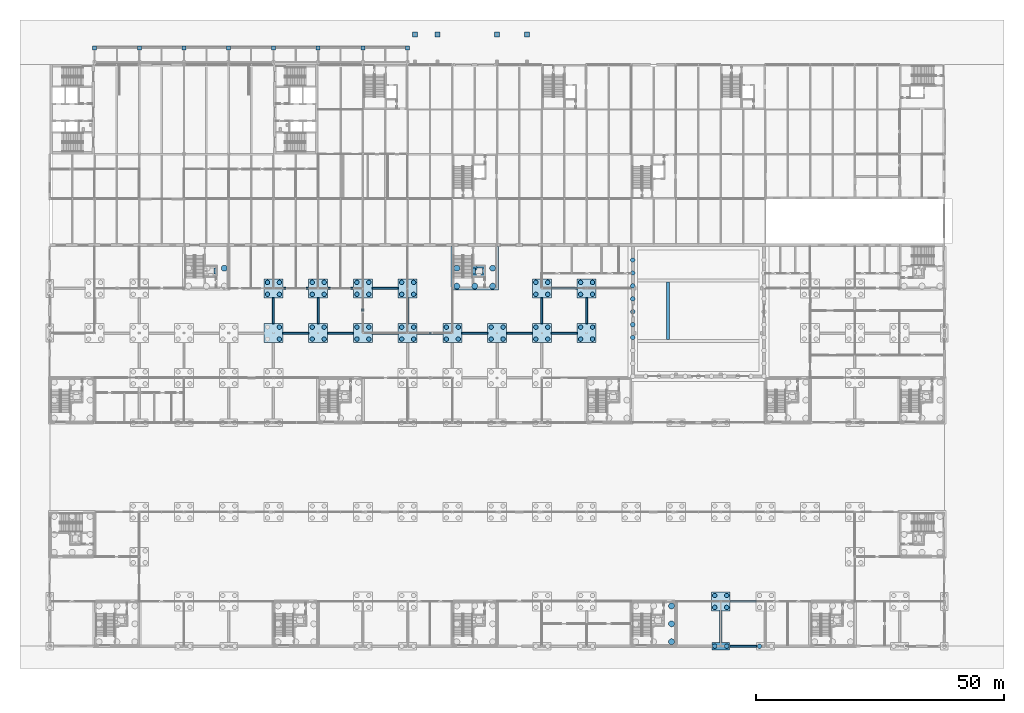
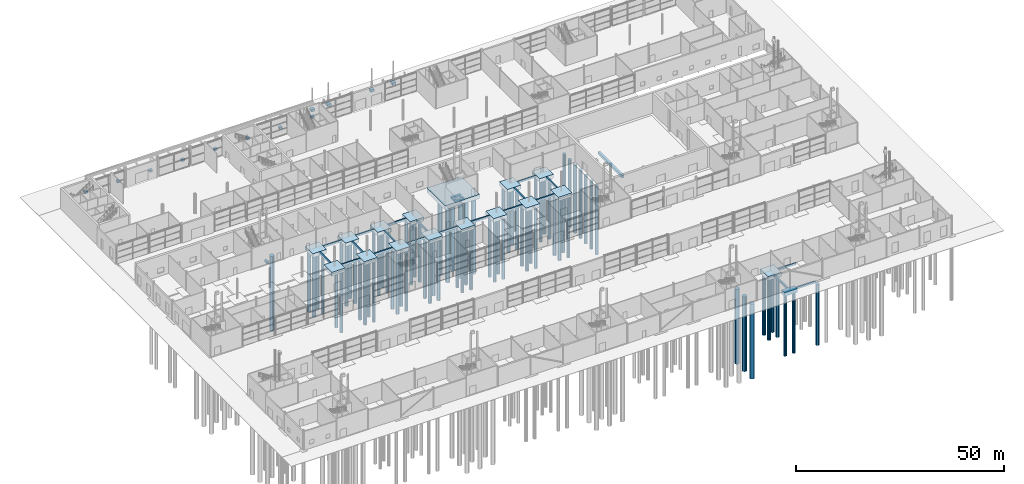
# One storey, part 4 of 97: 78 piles, 55 footings.
"""IFC4 building model written with IfcOpenShell, lengths in metres."""

from ifc_helpers import new_model, si_unit, direction, frame, origin, origin_2d, place, context, subcontext, project, spatial, polyline, rectangle, circle, outline, extrude, material, material_profile, profile_set, type_object, element, save


model = new_model("IFC4")

# Units and contexts
model_context = context("Model", 3, precision=1e-05, world=origin(), true_north=direction((0.0, 1.0)))
body_context = subcontext(model_context, "Body", "Model", "MODEL_VIEW")
ifc_project = project(units=[si_unit("LENGTHUNIT", "METRE"), si_unit("AREAUNIT", "SQUARE_METRE"), si_unit("VOLUMEUNIT", "CUBIC_METRE"), si_unit("PLANEANGLEUNIT", "RADIAN"), si_unit("MASSUNIT", "GRAM", prefix="KILO")], contexts=[model_context])

# Site, building, storey
site_placement = place(None, origin())
site = spatial("IfcSite", under=ifc_project, at=site_placement, CompositionType="ELEMENT")
building_placement = place(site_placement, origin())
building = spatial("IfcBuilding", under=site, at=building_placement, Name="Corbel Yard City Hall", CompositionType="ELEMENT")
storey_placement = place(building_placement, origin())
storey = spatial("IfcBuildingStorey", under=building, at=storey_placement, Name="L00", CompositionType="ELEMENT", Elevation=0.0)

# Footings
ifc_material = material(Name="Concrete N40 (40 MPa)", Category="concrete")
footing_type_1 = type_object("IfcFootingType", Name="Awning Pad Footing 0.8 x 0.8 x 0.6", PredefinedType="PAD_FOOTING", material=ifc_material)
footing_1_placement = place(storey_placement, frame((0.0, 0.0, -0.60009765625)))
element("IfcFooting", 1, at=footing_1_placement, inside=storey, type_object=footing_type_1, Name="Awning Pad Footing F01", PredefinedType="PAD_FOOTING", context=body_context, shape_type="SweptSolid", body=[
    extrude(outline(polyline([(8.60009765625, 120.0), (9.39990234375, 120.0), (9.39990234375, 120.800048828125), (8.60009765625, 120.800048828125), (8.60009765625, 120.0)])), origin(), (0.0, 0.0, 1.0), 0.60009765625),
])
footing_2_placement = place(storey_placement, frame((0.0, 0.0, -0.60009765625)))
element("IfcFooting", 2, at=footing_2_placement, inside=storey, type_object=footing_type_1, Name="Awning Pad Footing F02", PredefinedType="PAD_FOOTING", context=body_context, shape_type="SweptSolid", body=[
    extrude(outline(polyline([(17.60009765625, 120.0), (18.39990234375, 120.0), (18.39990234375, 120.800048828125), (17.60009765625, 120.800048828125), (17.60009765625, 120.0)])), origin(), (0.0, 0.0, 1.0), 0.60009765625),
])
footing_3_placement = place(storey_placement, frame((0.0, 0.0, -0.60009765625)))
element("IfcFooting", 3, at=footing_3_placement, inside=storey, type_object=footing_type_1, Name="Awning Pad Footing F03", PredefinedType="PAD_FOOTING", context=body_context, shape_type="SweptSolid", body=[
    extrude(outline(polyline([(26.60009765625, 120.0), (27.39990234375, 120.0), (27.39990234375, 120.800048828125), (26.60009765625, 120.800048828125), (26.60009765625, 120.0)])), origin(), (0.0, 0.0, 1.0), 0.60009765625),
])
footing_4_placement = place(storey_placement, frame((0.0, 0.0, -0.60009765625)))
element("IfcFooting", 4, at=footing_4_placement, inside=storey, type_object=footing_type_1, Name="Awning Pad Footing F04", PredefinedType="PAD_FOOTING", context=body_context, shape_type="SweptSolid", body=[
    extrude(outline(polyline([(35.60009765625, 120.0), (36.39990234375, 120.0), (36.39990234375, 120.800048828125), (35.60009765625, 120.800048828125), (35.60009765625, 120.0)])), origin(), (0.0, 0.0, 1.0), 0.60009765625),
])
footing_5_placement = place(storey_placement, frame((0.0, 0.0, -0.60009765625)))
element("IfcFooting", 5, at=footing_5_placement, inside=storey, type_object=footing_type_1, Name="Awning Pad Footing F05", PredefinedType="PAD_FOOTING", context=body_context, shape_type="SweptSolid", body=[
    extrude(outline(polyline([(44.60009765625, 120.0), (45.39990234375, 120.0), (45.39990234375, 120.800048828125), (44.60009765625, 120.800048828125), (44.60009765625, 120.0)])), origin(), (0.0, 0.0, 1.0), 0.60009765625),
])
footing_6_placement = place(storey_placement, frame((0.0, 0.0, -0.60009765625)))
element("IfcFooting", 6, at=footing_6_placement, inside=storey, type_object=footing_type_1, Name="Awning Pad Footing F06", PredefinedType="PAD_FOOTING", context=body_context, shape_type="SweptSolid", body=[
    extrude(outline(polyline([(53.60009765625, 120.0), (54.39990234375, 120.0), (54.39990234375, 120.800048828125), (53.60009765625, 120.800048828125), (53.60009765625, 120.0)])), origin(), (0.0, 0.0, 1.0), 0.60009765625),
])
footing_7_placement = place(storey_placement, frame((0.0, 0.0, -0.60009765625)))
element("IfcFooting", 7, at=footing_7_placement, inside=storey, type_object=footing_type_1, Name="Awning Pad Footing F07", PredefinedType="PAD_FOOTING", context=body_context, shape_type="SweptSolid", body=[
    extrude(outline(polyline([(62.60009765625, 120.0), (63.39990234375, 120.0), (63.39990234375, 120.800048828125), (62.60009765625, 120.800048828125), (62.60009765625, 120.0)])), origin(), (0.0, 0.0, 1.0), 0.60009765625),
])
footing_8_placement = place(storey_placement, frame((0.0, 0.0, -0.60009765625)))
element("IfcFooting", 8, at=footing_8_placement, inside=storey, type_object=footing_type_1, Name="Awning Pad Footing F08", PredefinedType="PAD_FOOTING", context=body_context, shape_type="SweptSolid", body=[
    extrude(outline(polyline([(71.60009765625, 120.0), (72.39990234375, 120.0), (72.39990234375, 120.800048828125), (71.60009765625, 120.800048828125), (71.60009765625, 120.0)])), origin(), (0.0, 0.0, 1.0), 0.60009765625),
])

# Piles
ifc_material_profile_1 = material_profile(ifc_material, circle(Radius=0.60009765625, at=origin_2d()), Name="D1200")
ifc_profile_set_1 = profile_set([ifc_material_profile_1], Name="Concrete N40 (40 MPa)")
pile_type_1 = type_object("IfcPileType", Name="Bored pile D1200", PredefinedType="BORED", material=ifc_profile_set_1)
for number, where, z_axis, x_axis, name in (
    (9, (125.10009765625, 0.89990234375, -1.10009765625), (0.0, 0.0, -1.0), (1.0, 0.0, 0.0), "Bored pile D1200 under core raft PC13"),
    (10, (125.10009765625, 4.5, -1.10009765625), (0.0, 0.0, -1.0), (1.0, 0.0, 0.0), "Bored pile D1200 under core raft PC13"),
    (11, (125.10009765625, 8.10009765625, -1.10009765625), (0.0, 0.0, -1.0), (1.0, 0.0, 0.0), "Bored pile D1200 under core raft PC13"),
    (12, (35.10009765625, 76.050048828125, -1.10009765625), (0.0, 0.0, -1.0), (1.0, 0.0, 0.0), "Bored pile D1200 under core raft PC13"),
    (13, (81.89990234375, 72.449951171875, -1.10009765625), (0.0, 0.0, -1.0), (1.0, 0.0, 0.0), "Bored pile D1200 under core raft PC13"),
    (14, (81.89990234375, 76.050048828125, -1.10009765625), (0.0, 0.0, -1.0), (1.0, 0.0, 0.0), "Bored pile D1200 under core raft PC13"),
    (15, (85.5, 72.449951171875, -1.10009765625), (0.0, 0.0, -1.0), (1.0, 0.0, 0.0), "Bored pile D1200 under core raft PC13"),
    (16, (85.35009765625, 76.050048828125, -1.10009765625), (0.0, 0.0, -1.0), (1.0, 0.0, 0.0), "Bored pile D1200 under core raft PC13"),
    (17, (89.10009765625, 72.449951171875, -1.10009765625), (0.0, 0.0, -1.0), (1.0, 0.0, 0.0), "Bored pile D1200 under core raft PC13"),
    (18, (89.10009765625, 76.050048828125, -1.10009765625), (0.0, 0.0, -1.0), (1.0, 0.0, 0.0), "Bored pile D1200 under core raft PC13"),
):
    element("IfcPile", number, at=place(storey_placement, frame(where, z_axis=z_axis, x_axis=x_axis)), inside=storey, type_object=pile_type_1, Name=name, PredefinedType="BORED", context=body_context, shape_type="SweptSolid", body=[
        extrude(circle(Radius=0.60009765625, at=origin_2d()), origin(), (0.0, 0.0, 1.0), 22.0),
    ])
ifc_material_profile_2 = material_profile(ifc_material, circle(Radius=0.449951171875, at=origin_2d()), Name="D900")
ifc_profile_set_2 = profile_set([ifc_material_profile_2], Name="Concrete N40 (40 MPa)")
pile_type_2 = type_object("IfcPileType", Name="Bored pile D900", PredefinedType="BORED", material=ifc_profile_set_2)
for number, where, z_axis, x_axis, name in (
    (19, (46.199951171875, 61.800048828125, -1.0), (0.0, 0.0, -1.0), (1.0, 0.0, 0.0), "Bored pile D900 under cap PC3 H/6"),
    (20, (46.199951171875, 64.199951171875, -1.0), (0.0, 0.0, -1.0), (1.0, 0.0, 0.0), "Bored pile D900 under cap PC3 H/6"),
    (21, (43.800048828125, 70.800048828125, -1.0), (0.0, 0.0, -1.0), (1.0, 0.0, 0.0), "Bored pile D900 under cap PC3 I/6"),
    (22, (43.800048828125, 73.199951171875, -1.0), (0.0, 0.0, -1.0), (1.0, 0.0, 0.0), "Bored pile D900 under cap PC3 I/6"),
    (23, (46.199951171875, 70.800048828125, -1.0), (0.0, 0.0, -1.0), (1.0, 0.0, 0.0), "Bored pile D900 under cap PC3 I/6"),
    (24, (46.199951171875, 73.199951171875, -1.0), (0.0, 0.0, -1.0), (1.0, 0.0, 0.0), "Bored pile D900 under cap PC3 I/6"),
    (25, (52.800048828125, 61.800048828125, -1.0), (0.0, 0.0, -1.0), (1.0, 0.0, 0.0), "Bored pile D900 under cap PC3 H/7"),
    (26, (52.800048828125, 64.199951171875, -1.0), (0.0, 0.0, -1.0), (1.0, 0.0, 0.0), "Bored pile D900 under cap PC3 H/7"),
    (27, (55.199951171875, 61.800048828125, -1.0), (0.0, 0.0, -1.0), (1.0, 0.0, 0.0), "Bored pile D900 under cap PC3 H/7"),
    (28, (55.199951171875, 64.199951171875, -1.0), (0.0, 0.0, -1.0), (1.0, 0.0, 0.0), "Bored pile D900 under cap PC3 H/7"),
    (29, (52.800048828125, 70.800048828125, -1.0), (0.0, 0.0, -1.0), (1.0, 0.0, 0.0), "Bored pile D900 under cap PC3 I/7"),
    (30, (52.800048828125, 73.199951171875, -1.0), (0.0, 0.0, -1.0), (1.0, 0.0, 0.0), "Bored pile D900 under cap PC3 I/7"),
    (31, (55.199951171875, 70.800048828125, -1.0), (0.0, 0.0, -1.0), (1.0, 0.0, 0.0), "Bored pile D900 under cap PC3 I/7"),
    (32, (55.199951171875, 73.199951171875, -1.0), (0.0, 0.0, -1.0), (1.0, 0.0, 0.0), "Bored pile D900 under cap PC3 I/7"),
    (33, (61.800048828125, 61.800048828125, -1.0), (0.0, 0.0, -1.0), (1.0, 0.0, 0.0), "Bored pile D900 under cap PC3 H/8"),
    (34, (61.800048828125, 64.199951171875, -1.0), (0.0, 0.0, -1.0), (1.0, 0.0, 0.0), "Bored pile D900 under cap PC3 H/8"),
    (35, (64.199951171875, 61.800048828125, -1.0), (0.0, 0.0, -1.0), (1.0, 0.0, 0.0), "Bored pile D900 under cap PC3 H/8"),
    (36, (64.199951171875, 64.199951171875, -1.0), (0.0, 0.0, -1.0), (1.0, 0.0, 0.0), "Bored pile D900 under cap PC3 H/8"),
    (37, (61.800048828125, 70.800048828125, -1.0), (0.0, 0.0, -1.0), (1.0, 0.0, 0.0), "Bored pile D900 under cap PC3 I/8"),
    (38, (61.800048828125, 73.199951171875, -1.0), (0.0, 0.0, -1.0), (1.0, 0.0, 0.0), "Bored pile D900 under cap PC3 I/8"),
    (39, (64.199951171875, 70.800048828125, -1.0), (0.0, 0.0, -1.0), (1.0, 0.0, 0.0), "Bored pile D900 under cap PC3 I/8"),
    (40, (64.199951171875, 73.199951171875, -1.0), (0.0, 0.0, -1.0), (1.0, 0.0, 0.0), "Bored pile D900 under cap PC3 I/8"),
    (41, (70.800048828125, 61.800048828125, -1.0), (0.0, 0.0, -1.0), (1.0, 0.0, 0.0), "Bored pile D900 under cap PC3 H/9"),
    (42, (70.800048828125, 64.199951171875, -1.0), (0.0, 0.0, -1.0), (1.0, 0.0, 0.0), "Bored pile D900 under cap PC3 H/9"),
    (43, (73.199951171875, 61.800048828125, -1.0), (0.0, 0.0, -1.0), (1.0, 0.0, 0.0), "Bored pile D900 under cap PC3 H/9"),
    (44, (73.199951171875, 64.199951171875, -1.0), (0.0, 0.0, -1.0), (1.0, 0.0, 0.0), "Bored pile D900 under cap PC3 H/9"),
    (45, (70.800048828125, 70.800048828125, -1.0), (0.0, 0.0, -1.0), (1.0, 0.0, 0.0), "Bored pile D900 under cap PC3 I/9"),
    (46, (70.800048828125, 73.199951171875, -1.0), (0.0, 0.0, -1.0), (1.0, 0.0, 0.0), "Bored pile D900 under cap PC3 I/9"),
    (47, (73.199951171875, 70.800048828125, -1.0), (0.0, 0.0, -1.0), (1.0, 0.0, 0.0), "Bored pile D900 under cap PC3 I/9"),
    (48, (73.199951171875, 73.199951171875, -1.0), (0.0, 0.0, -1.0), (1.0, 0.0, 0.0), "Bored pile D900 under cap PC3 I/9"),
    (49, (79.800048828125, 61.800048828125, -1.0), (0.0, 0.0, -1.0), (1.0, 0.0, 0.0), "Bored pile D900 under cap PC3 H/10"),
    (50, (79.800048828125, 64.199951171875, -1.0), (0.0, 0.0, -1.0), (1.0, 0.0, 0.0), "Bored pile D900 under cap PC3 H/10"),
    (51, (82.199951171875, 61.800048828125, -1.0), (0.0, 0.0, -1.0), (1.0, 0.0, 0.0), "Bored pile D900 under cap PC3 H/10"),
    (52, (82.199951171875, 64.199951171875, -1.0), (0.0, 0.0, -1.0), (1.0, 0.0, 0.0), "Bored pile D900 under cap PC3 H/10"),
    (53, (88.800048828125, 61.800048828125, -1.0), (0.0, 0.0, -1.0), (1.0, 0.0, 0.0), "Bored pile D900 under cap PC3 H/11"),
    (54, (88.800048828125, 64.199951171875, -1.0), (0.0, 0.0, -1.0), (1.0, 0.0, 0.0), "Bored pile D900 under cap PC3 H/11"),
    (55, (91.199951171875, 61.800048828125, -1.0), (0.0, 0.0, -1.0), (1.0, 0.0, 0.0), "Bored pile D900 under cap PC3 H/11"),
    (56, (91.199951171875, 64.199951171875, -1.0), (0.0, 0.0, -1.0), (1.0, 0.0, 0.0), "Bored pile D900 under cap PC3 H/11"),
    (57, (97.800048828125, 61.800048828125, -1.0), (0.0, 0.0, -1.0), (1.0, 0.0, 0.0), "Bored pile D900 under cap PC3 H/12"),
    (58, (97.800048828125, 64.199951171875, -1.0), (0.0, 0.0, -1.0), (1.0, 0.0, 0.0), "Bored pile D900 under cap PC3 H/12"),
    (59, (100.199951171875, 61.800048828125, -1.0), (0.0, 0.0, -1.0), (1.0, 0.0, 0.0), "Bored pile D900 under cap PC3 H/12"),
    (60, (100.199951171875, 64.199951171875, -1.0), (0.0, 0.0, -1.0), (1.0, 0.0, 0.0), "Bored pile D900 under cap PC3 H/12"),
    (61, (97.800048828125, 70.800048828125, -1.0), (0.0, 0.0, -1.0), (1.0, 0.0, 0.0), "Bored pile D900 under cap PC3 I/12"),
    (62, (97.800048828125, 73.199951171875, -1.0), (0.0, 0.0, -1.0), (1.0, 0.0, 0.0), "Bored pile D900 under cap PC3 I/12"),
    (63, (100.199951171875, 70.800048828125, -1.0), (0.0, 0.0, -1.0), (1.0, 0.0, 0.0), "Bored pile D900 under cap PC3 I/12"),
    (64, (100.199951171875, 73.199951171875, -1.0), (0.0, 0.0, -1.0), (1.0, 0.0, 0.0), "Bored pile D900 under cap PC3 I/12"),
    (65, (106.800048828125, 61.800048828125, -1.0), (0.0, 0.0, -1.0), (1.0, 0.0, 0.0), "Bored pile D900 under cap PC3 H/13"),
    (66, (106.800048828125, 64.199951171875, -1.0), (0.0, 0.0, -1.0), (1.0, 0.0, 0.0), "Bored pile D900 under cap PC3 H/13"),
    (67, (109.199951171875, 61.800048828125, -1.0), (0.0, 0.0, -1.0), (1.0, 0.0, 0.0), "Bored pile D900 under cap PC3 H/13"),
    (68, (109.199951171875, 64.199951171875, -1.0), (0.0, 0.0, -1.0), (1.0, 0.0, 0.0), "Bored pile D900 under cap PC3 H/13"),
    (69, (106.800048828125, 70.800048828125, -1.0), (0.0, 0.0, -1.0), (1.0, 0.0, 0.0), "Bored pile D900 under cap PC3 I/13"),
    (70, (106.800048828125, 73.199951171875, -1.0), (0.0, 0.0, -1.0), (1.0, 0.0, 0.0), "Bored pile D900 under cap PC3 I/13"),
    (71, (109.199951171875, 70.800048828125, -1.0), (0.0, 0.0, -1.0), (1.0, 0.0, 0.0), "Bored pile D900 under cap PC3 I/13"),
    (72, (109.199951171875, 73.199951171875, -1.0), (0.0, 0.0, -1.0), (1.0, 0.0, 0.0), "Bored pile D900 under cap PC3 I/13"),
    (73, (133.800048828125, 0.0, -1.0), (0.0, 0.0, -1.0), (1.0, 0.0, 0.0), "Bored pile D900 under cap PC6 A/16"),
    (74, (136.199951171875, 0.0, -1.0), (0.0, 0.0, -1.0), (1.0, 0.0, 0.0), "Bored pile D900 under cap PC6 A/16"),
    (75, (133.800048828125, 7.800048828125, -1.10009765625), (0.0, 0.0, -1.0), (1.0, 0.0, 0.0), "Bored pile D900 under cap PC5 B/16"),
    (76, (133.800048828125, 10.199951171875, -1.10009765625), (0.0, 0.0, -1.0), (1.0, 0.0, 0.0), "Bored pile D900 under cap PC5 B/16"),
    (77, (136.199951171875, 7.800048828125, -1.10009765625), (0.0, 0.0, -1.0), (1.0, 0.0, 0.0), "Bored pile D900 under cap PC5 B/16"),
    (78, (136.199951171875, 10.199951171875, -1.10009765625), (0.0, 0.0, -1.0), (1.0, 0.0, 0.0), "Bored pile D900 under cap PC5 B/16"),
    (79, (142.800048828125, 0.0, -1.0), (0.0, 0.0, -1.0), (1.0, 0.0, 0.0), "Bored pile D900 under cap PC6 A/17"),
):
    element("IfcPile", number, at=place(storey_placement, frame(where, z_axis=z_axis, x_axis=x_axis)), inside=storey, type_object=pile_type_2, Name=name, PredefinedType="BORED", context=body_context, shape_type="SweptSolid", body=[
        extrude(circle(Radius=0.449951171875, at=origin_2d()), origin(), (0.0, 0.0, 1.0), 18.0),
    ])
for number, where, z_axis, x_axis, name in (
    (80, (117.300048828125, 62.10009765625, -1.10009765625), (0.0, 0.0, -1.0), (1.0, 0.0, 0.0), "Bored pile D900 under chamber ring cap PC12"),
    (81, (117.300048828125, 64.699951171875, -1.10009765625), (0.0, 0.0, -1.0), (1.0, 0.0, 0.0), "Bored pile D900 under chamber ring cap PC12"),
    (82, (117.300048828125, 67.300048828125, -1.10009765625), (0.0, 0.0, -1.0), (1.0, 0.0, 0.0), "Bored pile D900 under chamber ring cap PC12"),
    (83, (117.300048828125, 69.89990234375, -1.10009765625), (0.0, 0.0, -1.0), (1.0, 0.0, 0.0), "Bored pile D900 under chamber ring cap PC12"),
    (84, (117.300048828125, 72.5, -1.10009765625), (0.0, 0.0, -1.0), (1.0, 0.0, 0.0), "Bored pile D900 under chamber ring cap PC12"),
    (85, (117.300048828125, 75.10009765625, -1.10009765625), (0.0, 0.0, -1.0), (1.0, 0.0, 0.0), "Bored pile D900 under chamber ring cap PC12"),
    (86, (117.300048828125, 77.699951171875, -1.10009765625), (0.0, 0.0, -1.0), (1.0, 0.0, 0.0), "Bored pile D900 under chamber ring cap PC12"),
):
    element("IfcPile", number, at=place(storey_placement, frame(where, z_axis=z_axis, x_axis=x_axis)), inside=storey, type_object=pile_type_2, Name=name, PredefinedType="BORED", context=body_context, shape_type="SweptSolid", body=[
        extrude(circle(Radius=0.449951171875, at=origin_2d()), origin(), (0.0, 0.0, 1.0), 20.0),
    ])

# Footings
footing_type_2 = type_object("IfcFootingType", Name="Chamber ground beam 600 x 800", PredefinedType="FOOTING_BEAM", material=ifc_material)
footing_9_placement = place(storey_placement, frame((0.0, 0.0, -1.0)))
element("IfcFooting", 87, at=footing_9_placement, inside=storey, type_object=footing_type_2, Name="Chamber ground beam W", PredefinedType="FOOTING_BEAM", context=body_context, shape_type="SweptSolid", body=[
    extrude(outline(polyline([(124.699951171875, 61.699951171875), (124.699951171875, 73.300048828125), (124.10009765625, 73.300048828125), (124.10009765625, 61.699951171875), (124.699951171875, 61.699951171875)])), origin(), (0.0, 0.0, 1.0), 0.800048828125),
])
footing_type_3 = type_object("IfcFootingType", Name="Core cell raft 9.6 x 9.6 x 1.2", PredefinedType="PILE_CAP", material=ifc_material)
footing_10_placement = place(storey_placement, frame((0.0, 0.0, -1.199951171875)))
element("IfcFooting", 88, at=footing_10_placement, inside=storey, type_object=footing_type_3, Name="Core cell raft PC13 PC-M7", PredefinedType="PILE_CAP", context=body_context, shape_type="SweptSolid", body=[
    extrude(outline(polyline([(80.699951171875, 71.699951171875), (90.300048828125, 71.699951171875), (90.300048828125, 80.39990234375), (80.699951171875, 80.39990234375), (80.699951171875, 71.699951171875)])), origin(), (0.0, 0.0, 1.0), 1.199951171875),
])
footing_type_4 = type_object("IfcFootingType", Name="Ground beam 400 x 600", PredefinedType="FOOTING_BEAM", material=ifc_material)
footing_11_placement = place(storey_placement, frame((49.5, 63.0, -0.60009765625), z_axis=(0.0, 0.0, 1.0), x_axis=(1.0, 0.0, 0.0)))
element("IfcFooting", 89, at=footing_11_placement, inside=storey, type_object=footing_type_4, Name="Ground beam 400 x 600 H/6-H/7", PredefinedType="FOOTING_BEAM", context=body_context, shape_type="SweptSolid", body=[
    extrude(rectangle(XDim=5.199951171875, YDim=0.39990234375, at=origin_2d()), origin(), (0.0, 0.0, 1.0), 0.60009765625),
])
footing_12_placement = place(storey_placement, frame((45.0, 67.5, -0.60009765625), z_axis=(0.0, 0.0, 1.0), x_axis=(1.0, 0.0, 0.0)))
element("IfcFooting", 90, at=footing_12_placement, inside=storey, type_object=footing_type_4, Name="Ground beam 400 x 600 H/6-I/6", PredefinedType="FOOTING_BEAM", context=body_context, shape_type="SweptSolid", body=[
    extrude(rectangle(XDim=0.39990234375, YDim=5.199951171875, at=origin_2d()), origin(), (0.0, 0.0, 1.0), 0.60009765625),
])
for number, where, z_axis, x_axis, name in (
    (91, (49.5, 72.0, -0.60009765625), (0.0, 0.0, 1.0), (1.0, 0.0, 0.0), "Ground beam 400 x 600 I/6-I/7"),
    (92, (58.5, 63.0, -0.60009765625), (0.0, 0.0, 1.0), (1.0, 0.0, 0.0), "Ground beam 400 x 600 H/7-H/8"),
):
    element("IfcFooting", number, at=place(storey_placement, frame(where, z_axis=z_axis, x_axis=x_axis)), inside=storey, type_object=footing_type_4, Name=name, PredefinedType="FOOTING_BEAM", context=body_context, shape_type="SweptSolid", body=[
        extrude(rectangle(XDim=5.199951171875, YDim=0.39990234375, at=origin_2d()), origin(), (0.0, 0.0, 1.0), 0.60009765625),
    ])
footing_13_placement = place(storey_placement, frame((54.0, 67.5, -0.60009765625), z_axis=(0.0, 0.0, 1.0), x_axis=(1.0, 0.0, 0.0)))
element("IfcFooting", 93, at=footing_13_placement, inside=storey, type_object=footing_type_4, Name="Ground beam 400 x 600 H/7-I/7", PredefinedType="FOOTING_BEAM", context=body_context, shape_type="SweptSolid", body=[
    extrude(rectangle(XDim=0.39990234375, YDim=5.199951171875, at=origin_2d()), origin(), (0.0, 0.0, 1.0), 0.60009765625),
])
for number, where, z_axis, x_axis, name in (
    (94, (58.5, 72.0, -0.60009765625), (0.0, 0.0, 1.0), (1.0, 0.0, 0.0), "Ground beam 400 x 600 I/7-I/8"),
    (95, (67.5, 63.0, -0.60009765625), (0.0, 0.0, 1.0), (1.0, 0.0, 0.0), "Ground beam 400 x 600 H/8-H/9"),
):
    element("IfcFooting", number, at=place(storey_placement, frame(where, z_axis=z_axis, x_axis=x_axis)), inside=storey, type_object=footing_type_4, Name=name, PredefinedType="FOOTING_BEAM", context=body_context, shape_type="SweptSolid", body=[
        extrude(rectangle(XDim=5.199951171875, YDim=0.39990234375, at=origin_2d()), origin(), (0.0, 0.0, 1.0), 0.60009765625),
    ])
footing_14_placement = place(storey_placement, frame((63.0, 67.5, -0.60009765625), z_axis=(0.0, 0.0, 1.0), x_axis=(1.0, 0.0, 0.0)))
element("IfcFooting", 96, at=footing_14_placement, inside=storey, type_object=footing_type_4, Name="Ground beam 400 x 600 H/8-I/8", PredefinedType="FOOTING_BEAM", context=body_context, shape_type="SweptSolid", body=[
    extrude(rectangle(XDim=0.39990234375, YDim=5.199951171875, at=origin_2d()), origin(), (0.0, 0.0, 1.0), 0.60009765625),
])
for number, where, z_axis, x_axis, name in (
    (97, (67.5, 72.0, -0.60009765625), (0.0, 0.0, 1.0), (1.0, 0.0, 0.0), "Ground beam 400 x 600 I/8-I/9"),
    (98, (76.5, 63.0, -0.60009765625), (0.0, 0.0, 1.0), (1.0, 0.0, 0.0), "Ground beam 400 x 600 H/9-H/10"),
):
    element("IfcFooting", number, at=place(storey_placement, frame(where, z_axis=z_axis, x_axis=x_axis)), inside=storey, type_object=footing_type_4, Name=name, PredefinedType="FOOTING_BEAM", context=body_context, shape_type="SweptSolid", body=[
        extrude(rectangle(XDim=5.199951171875, YDim=0.39990234375, at=origin_2d()), origin(), (0.0, 0.0, 1.0), 0.60009765625),
    ])
footing_15_placement = place(storey_placement, frame((72.0, 67.5, -0.60009765625), z_axis=(0.0, 0.0, 1.0), x_axis=(1.0, 0.0, 0.0)))
element("IfcFooting", 99, at=footing_15_placement, inside=storey, type_object=footing_type_4, Name="Ground beam 400 x 600 H/9-I/9", PredefinedType="FOOTING_BEAM", context=body_context, shape_type="SweptSolid", body=[
    extrude(rectangle(XDim=0.39990234375, YDim=5.199951171875, at=origin_2d()), origin(), (0.0, 0.0, 1.0), 0.60009765625),
])
for number, where, z_axis, x_axis, name in (
    (100, (85.5, 63.0, -0.60009765625), (0.0, 0.0, 1.0), (1.0, 0.0, 0.0), "Ground beam 400 x 600 H/10-H/11"),
    (101, (94.5, 63.0, -0.60009765625), (0.0, 0.0, 1.0), (1.0, 0.0, 0.0), "Ground beam 400 x 600 H/11-H/12"),
    (102, (103.5, 63.0, -0.60009765625), (0.0, 0.0, 1.0), (1.0, 0.0, 0.0), "Ground beam 400 x 600 H/12-H/13"),
):
    element("IfcFooting", number, at=place(storey_placement, frame(where, z_axis=z_axis, x_axis=x_axis)), inside=storey, type_object=footing_type_4, Name=name, PredefinedType="FOOTING_BEAM", context=body_context, shape_type="SweptSolid", body=[
        extrude(rectangle(XDim=5.199951171875, YDim=0.39990234375, at=origin_2d()), origin(), (0.0, 0.0, 1.0), 0.60009765625),
    ])
footing_16_placement = place(storey_placement, frame((99.0, 67.5, -0.60009765625), z_axis=(0.0, 0.0, 1.0), x_axis=(1.0, 0.0, 0.0)))
element("IfcFooting", 103, at=footing_16_placement, inside=storey, type_object=footing_type_4, Name="Ground beam 400 x 600 H/12-I/12", PredefinedType="FOOTING_BEAM", context=body_context, shape_type="SweptSolid", body=[
    extrude(rectangle(XDim=0.39990234375, YDim=5.199951171875, at=origin_2d()), origin(), (0.0, 0.0, 1.0), 0.60009765625),
])
footing_17_placement = place(storey_placement, frame((103.5, 72.0, -0.60009765625), z_axis=(0.0, 0.0, 1.0), x_axis=(1.0, 0.0, 0.0)))
element("IfcFooting", 104, at=footing_17_placement, inside=storey, type_object=footing_type_4, Name="Ground beam 400 x 600 I/12-I/13", PredefinedType="FOOTING_BEAM", context=body_context, shape_type="SweptSolid", body=[
    extrude(rectangle(XDim=5.199951171875, YDim=0.39990234375, at=origin_2d()), origin(), (0.0, 0.0, 1.0), 0.60009765625),
])
footing_18_placement = place(storey_placement, frame((108.0, 67.5, -0.60009765625), z_axis=(0.0, 0.0, 1.0), x_axis=(1.0, 0.0, 0.0)))
element("IfcFooting", 105, at=footing_18_placement, inside=storey, type_object=footing_type_4, Name="Ground beam 400 x 600 H/13-I/13", PredefinedType="FOOTING_BEAM", context=body_context, shape_type="SweptSolid", body=[
    extrude(rectangle(XDim=0.39990234375, YDim=5.199951171875, at=origin_2d()), origin(), (0.0, 0.0, 1.0), 0.60009765625),
])
footing_19_placement = place(storey_placement, frame((139.5, 0.0, -0.60009765625), z_axis=(0.0, 0.0, 1.0), x_axis=(1.0, 0.0, 0.0)))
element("IfcFooting", 106, at=footing_19_placement, inside=storey, type_object=footing_type_4, Name="Ground beam 400 x 600 A/16-A/17", PredefinedType="FOOTING_BEAM", context=body_context, shape_type="SweptSolid", body=[
    extrude(rectangle(XDim=5.39990234375, YDim=0.39990234375, at=origin_2d()), origin(), (0.0, 0.0, 1.0), 0.60009765625),
])
footing_20_placement = place(storey_placement, frame((135.0, 3.925048828125, -0.60009765625), z_axis=(0.0, 0.0, 1.0), x_axis=(1.0, 0.0, 0.0)))
element("IfcFooting", 107, at=footing_20_placement, inside=storey, type_object=footing_type_4, Name="Ground beam 400 x 600 A/16-B/16", PredefinedType="FOOTING_BEAM", context=body_context, shape_type="SweptSolid", body=[
    extrude(rectangle(XDim=0.39990234375, YDim=6.35009765625, at=origin_2d()), origin(), (0.0, 0.0, 1.0), 0.60009765625),
])
footing_21_placement = place(storey_placement, frame((139.5, 9.0, -0.60009765625), z_axis=(0.0, 0.0, 1.0), x_axis=(1.0, 0.0, 0.0)))
element("IfcFooting", 108, at=footing_21_placement, inside=storey, type_object=footing_type_4, Name="Ground beam 400 x 600 B/16-B/17", PredefinedType="FOOTING_BEAM", context=body_context, shape_type="SweptSolid", body=[
    extrude(rectangle(XDim=5.199951171875, YDim=0.39990234375, at=origin_2d()), origin(), (0.0, 0.0, 1.0), 0.60009765625),
])
footing_type_5 = type_object("IfcFootingType", Name="Lift pit strip footing 600 x 600", PredefinedType="FOOTING_BEAM", material=ifc_material)
footing_22_placement = place(storey_placement, frame((0.0, 0.0, -2.300048828125)))
element("IfcFooting", 109, at=footing_22_placement, inside=storey, type_object=footing_type_5, Name="Lift pit strip footing LP13 E", PredefinedType="FOOTING_BEAM", context=body_context, shape_type="SweptSolid", body=[
    extrude(outline(polyline([(33.64990234375, 74.85009765625), (33.64990234375, 76.050048828125), (33.050048828125, 76.050048828125), (33.050048828125, 74.85009765625), (33.64990234375, 74.85009765625)])), origin(), (0.0, 0.0, 1.0), 0.60009765625),
])
footing_23_placement = place(storey_placement, frame((0.0, 0.0, -2.300048828125)))
element("IfcFooting", 110, at=footing_23_placement, inside=storey, type_object=footing_type_5, Name="Lift pit strip footing LP14 S", PredefinedType="FOOTING_BEAM", context=body_context, shape_type="SweptSolid", body=[
    extrude(outline(polyline([(87.64990234375, 74.25), (87.64990234375, 74.85009765625), (85.050048828125, 74.85009765625), (85.050048828125, 74.25), (87.64990234375, 74.25)])), origin(), (0.0, 0.0, 1.0), 0.60009765625),
])
footing_24_placement = place(storey_placement, frame((0.0, 0.0, -2.300048828125)))
element("IfcFooting", 111, at=footing_24_placement, inside=storey, type_object=footing_type_5, Name="Lift pit strip footing LP14 N", PredefinedType="FOOTING_BEAM", context=body_context, shape_type="SweptSolid", body=[
    extrude(outline(polyline([(87.64990234375, 76.050048828125), (87.64990234375, 76.64990234375), (85.050048828125, 76.64990234375), (85.050048828125, 76.050048828125), (87.64990234375, 76.050048828125)])), origin(), (0.0, 0.0, 1.0), 0.60009765625),
])
footing_25_placement = place(storey_placement, frame((0.0, 0.0, -2.300048828125)))
element("IfcFooting", 112, at=footing_25_placement, inside=storey, type_object=footing_type_5, Name="Lift pit strip footing LP14 W", PredefinedType="FOOTING_BEAM", context=body_context, shape_type="SweptSolid", body=[
    extrude(outline(polyline([(85.64990234375, 74.85009765625), (85.64990234375, 76.050048828125), (85.050048828125, 76.050048828125), (85.050048828125, 74.85009765625), (85.64990234375, 74.85009765625)])), origin(), (0.0, 0.0, 1.0), 0.60009765625),
])
footing_26_placement = place(storey_placement, frame((0.0, 0.0, -2.300048828125)))
element("IfcFooting", 113, at=footing_26_placement, inside=storey, type_object=footing_type_5, Name="Lift pit strip footing LP14 E", PredefinedType="FOOTING_BEAM", context=body_context, shape_type="SweptSolid", body=[
    extrude(outline(polyline([(87.64990234375, 74.85009765625), (87.64990234375, 76.050048828125), (87.050048828125, 76.050048828125), (87.050048828125, 74.85009765625), (87.64990234375, 74.85009765625)])), origin(), (0.0, 0.0, 1.0), 0.60009765625),
])
footing_type_6 = type_object("IfcFootingType", Name="Pile cap (column) 3.8 x 3.8 x 1.1", PredefinedType="PILE_CAP", material=ifc_material)
for number, where, z_axis, x_axis, name in (
    (114, (45.0, 63.0, -1.10009765625), (0.0, 0.0, 1.0), (1.0, 0.0, 0.0), "Pile cap PC3 H/6"),
    (115, (45.0, 72.0, -1.10009765625), (0.0, 0.0, 1.0), (1.0, 0.0, 0.0), "Pile cap PC3 I/6"),
    (116, (54.0, 63.0, -1.10009765625), (0.0, 0.0, 1.0), (1.0, 0.0, 0.0), "Pile cap PC3 H/7"),
    (117, (54.0, 72.0, -1.10009765625), (0.0, 0.0, 1.0), (1.0, 0.0, 0.0), "Pile cap PC3 I/7"),
    (118, (63.0, 63.0, -1.10009765625), (0.0, 0.0, 1.0), (1.0, 0.0, 0.0), "Pile cap PC3 H/8"),
    (119, (63.0, 72.0, -1.10009765625), (0.0, 0.0, 1.0), (1.0, 0.0, 0.0), "Pile cap PC3 I/8"),
    (120, (72.0, 63.0, -1.10009765625), (0.0, 0.0, 1.0), (1.0, 0.0, 0.0), "Pile cap PC3 H/9"),
    (121, (72.0, 72.0, -1.10009765625), (0.0, 0.0, 1.0), (1.0, 0.0, 0.0), "Pile cap PC3 I/9"),
    (122, (81.0, 63.0, -1.10009765625), (0.0, 0.0, 1.0), (1.0, 0.0, 0.0), "Pile cap PC3 H/10"),
    (123, (90.0, 63.0, -1.10009765625), (0.0, 0.0, 1.0), (1.0, 0.0, 0.0), "Pile cap PC3 H/11"),
    (124, (99.0, 63.0, -1.10009765625), (0.0, 0.0, 1.0), (1.0, 0.0, 0.0), "Pile cap PC3 H/12"),
    (125, (99.0, 72.0, -1.10009765625), (0.0, 0.0, 1.0), (1.0, 0.0, 0.0), "Pile cap PC3 I/12"),
    (126, (108.0, 63.0, -1.10009765625), (0.0, 0.0, 1.0), (1.0, 0.0, 0.0), "Pile cap PC3 H/13"),
    (127, (108.0, 72.0, -1.10009765625), (0.0, 0.0, 1.0), (1.0, 0.0, 0.0), "Pile cap PC3 I/13"),
):
    element("IfcFooting", number, at=place(storey_placement, frame(where, z_axis=z_axis, x_axis=x_axis)), inside=storey, type_object=footing_type_6, Name=name, PredefinedType="PILE_CAP", context=body_context, shape_type="SweptSolid", body=[
        extrude(rectangle(XDim=3.800048828125, YDim=3.800048828125, at=origin_2d()), origin(), (0.0, 0.0, 1.0), 1.10009765625),
    ])
footing_type_7 = type_object("IfcFootingType", Name="Pile cap (edge column, two piles) 3.6 x 1.5 x 1.1", PredefinedType="PILE_CAP", material=ifc_material)
footing_27_placement = place(storey_placement, frame((135.0, 0.0, -1.10009765625), z_axis=(0.0, 0.0, 1.0), x_axis=(1.0, 0.0, 0.0)))
element("IfcFooting", 128, at=footing_27_placement, inside=storey, type_object=footing_type_7, Name="Pile cap PC6 A/16", PredefinedType="PILE_CAP", context=body_context, shape_type="SweptSolid", body=[
    extrude(rectangle(XDim=3.60009765625, YDim=1.5, at=origin_2d()), origin(), (0.0, 0.0, 1.0), 1.10009765625),
])
footing_type_8 = type_object("IfcFootingType", Name="Pile cap (hall truss column) 3.8 x 3.8 x 1.2", PredefinedType="PILE_CAP", material=ifc_material)
footing_28_placement = place(storey_placement, frame((135.0, 9.0, -1.2001953125), z_axis=(0.0, 0.0, 1.0), x_axis=(1.0, 0.0, 0.0)))
element("IfcFooting", 129, at=footing_28_placement, inside=storey, type_object=footing_type_8, Name="Pile cap PC5 B/16", PredefinedType="PILE_CAP", context=body_context, shape_type="SweptSolid", body=[
    extrude(rectangle(XDim=3.800048828125, YDim=3.800048828125, at=origin_2d()), origin(), (0.0, 0.0, 1.0), 1.199951171875),
])
footing_type_9 = type_object("IfcFootingType", Name="Portico Pad Footing 1 x 1 x 0.7", PredefinedType="PAD_FOOTING", material=ifc_material)
footing_29_placement = place(storey_placement, frame((0.0, 0.0, -0.699951171875)))
element("IfcFooting", 130, at=footing_29_placement, inside=storey, type_object=footing_type_9, Name="Portico Pad Footing F01", PredefinedType="PAD_FOOTING", context=body_context, shape_type="SweptSolid", body=[
    extrude(outline(polyline([(73.0, 122.60009765625), (74.0, 122.60009765625), (74.0, 123.60009765625), (73.0, 123.60009765625), (73.0, 122.60009765625)])), origin(), (0.0, 0.0, 1.0), 0.699951171875),
])
footing_30_placement = place(storey_placement, frame((0.0, 0.0, -0.699951171875)))
element("IfcFooting", 131, at=footing_30_placement, inside=storey, type_object=footing_type_9, Name="Portico Pad Footing F02", PredefinedType="PAD_FOOTING", context=body_context, shape_type="SweptSolid", body=[
    extrude(outline(polyline([(77.5, 122.60009765625), (78.5, 122.60009765625), (78.5, 123.60009765625), (77.5, 123.60009765625), (77.5, 122.60009765625)])), origin(), (0.0, 0.0, 1.0), 0.699951171875),
])
footing_31_placement = place(storey_placement, frame((0.0, 0.0, -0.699951171875)))
element("IfcFooting", 132, at=footing_31_placement, inside=storey, type_object=footing_type_9, Name="Portico Pad Footing F03", PredefinedType="PAD_FOOTING", context=body_context, shape_type="SweptSolid", body=[
    extrude(outline(polyline([(89.5, 122.60009765625), (90.5, 122.60009765625), (90.5, 123.60009765625), (89.5, 123.60009765625), (89.5, 122.60009765625)])), origin(), (0.0, 0.0, 1.0), 0.699951171875),
])
footing_32_placement = place(storey_placement, frame((0.0, 0.0, -0.699951171875)))
element("IfcFooting", 133, at=footing_32_placement, inside=storey, type_object=footing_type_9, Name="Portico Pad Footing F04", PredefinedType="PAD_FOOTING", context=body_context, shape_type="SweptSolid", body=[
    extrude(outline(polyline([(95.5, 122.60009765625), (96.5, 122.60009765625), (96.5, 123.60009765625), (95.5, 123.60009765625), (95.5, 122.60009765625)])), origin(), (0.0, 0.0, 1.0), 0.699951171875),
])

save(model, "model.ifc")
